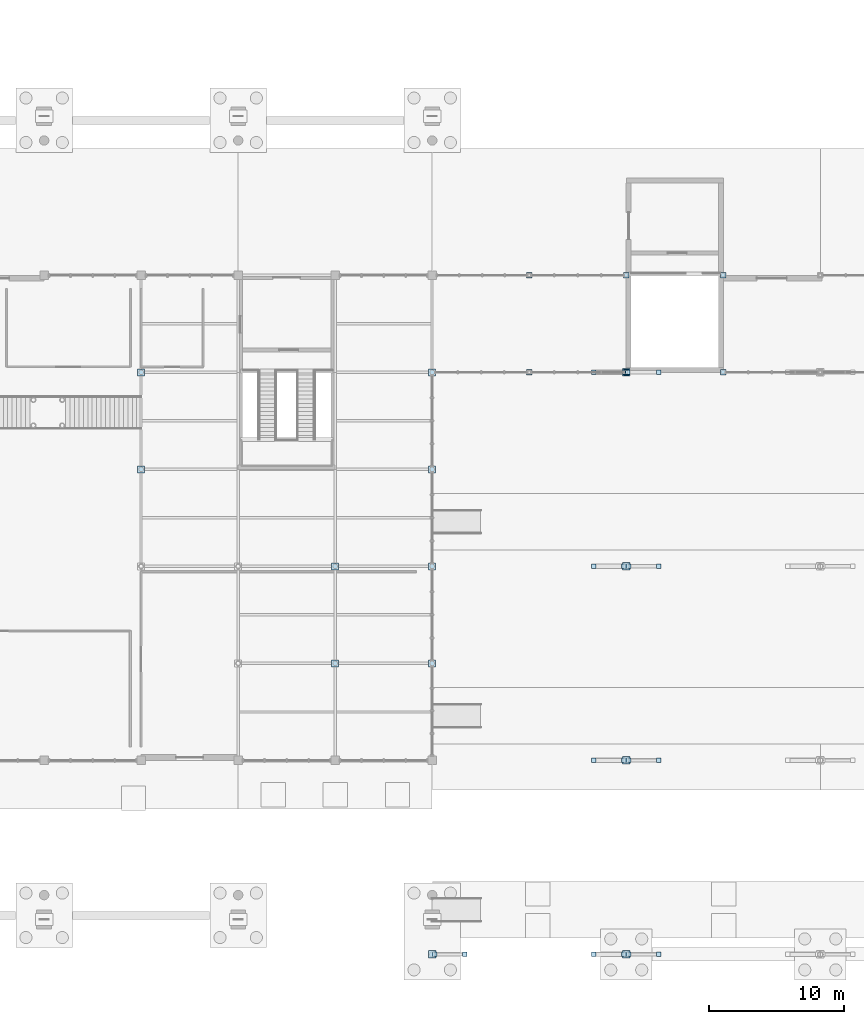
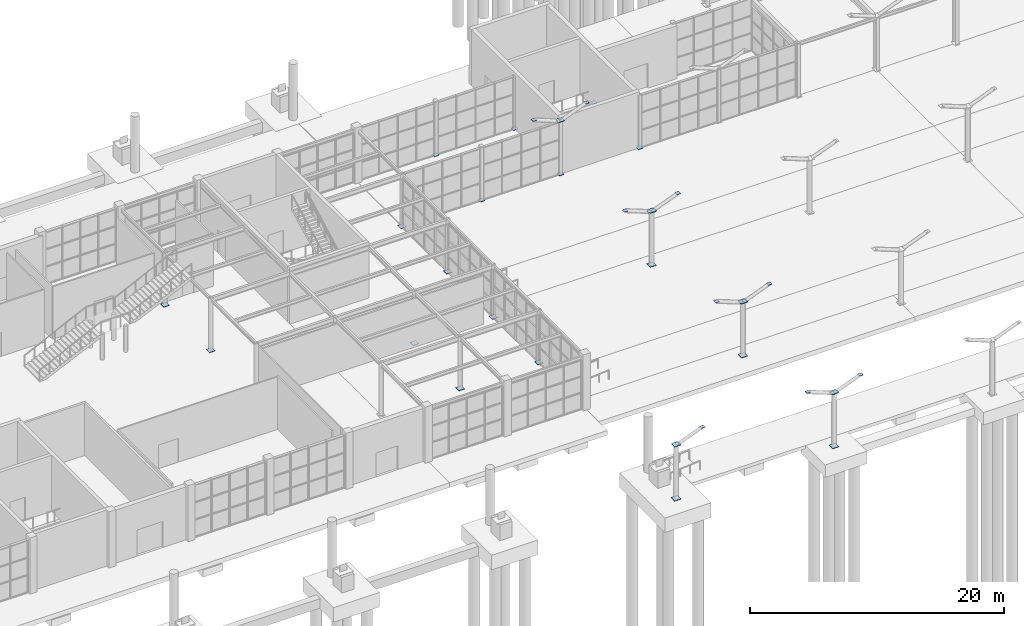
# One storey, part 53 of 75: 41 plates.
"""IFC4 building model written with IfcOpenShell, lengths in metres."""

from ifc_helpers import new_model, si_unit, direction, frame, origin, origin_2d, place, context, subcontext, project, spatial, rectangle, extrude, material, layer, layer_set, type_object, element, save


model = new_model("IFC4")

# Units and contexts
model_context = context("Model", 3, precision=1e-05, world=origin(), true_north=direction((0.0, 1.0)))
body_context = subcontext(model_context, "Body", "Model", "MODEL_VIEW")
ifc_project = project(units=[si_unit("LENGTHUNIT", "METRE"), si_unit("AREAUNIT", "SQUARE_METRE"), si_unit("VOLUMEUNIT", "CUBIC_METRE"), si_unit("PLANEANGLEUNIT", "RADIAN"), si_unit("MASSUNIT", "GRAM", prefix="KILO")], contexts=[model_context])

# Site, building, storey
site_placement = place(None, origin())
site = spatial("IfcSite", under=ifc_project, at=site_placement, CompositionType="ELEMENT")
building_placement = place(site_placement, origin())
building = spatial("IfcBuilding", under=site, at=building_placement, Name="Leyfeld Transit Interchange", CompositionType="ELEMENT")
storey_placement = place(building_placement, origin())
storey = spatial("IfcBuildingStorey", under=building, at=storey_placement, Name="L00", CompositionType="ELEMENT", Elevation=0.0)

# Plates
ifc_material = material(Name="Steel S355J2", Category="steel")
ifc_layer_1 = layer(ifc_material, 0.028076171875, Name="Steel S355J2")
ifc_layer_set_1 = layer_set([ifc_layer_1], Name="Steel S355J2")
plate_type_1 = type_object("IfcPlateType", Name="PLT-BASE-28", PredefinedType="USERDEFINED", material=ifc_layer_set_1)
for number, where, z_axis, x_axis, name in (
    (1, (108.0, 43.199951171875, 0.0), (0.0, 0.0, 1.0), (1.0, 0.0, 0.0), "Column Baseplate 0662"),
    (2, (108.0, 50.39990234375, 0.0), (0.0, 0.0, 1.0), (1.0, 0.0, 0.0), "Column Baseplate 0665"),
    (3, (115.199951171875, 43.199951171875, 0.0), (0.0, 0.0, 1.0), (1.0, 0.0, 0.0), "Column Baseplate 0679"),
    (4, (115.199951171875, 50.39990234375, 0.0), (0.0, 0.0, 1.0), (1.0, 0.0, 0.0), "Column Baseplate 0682"),
    (5, (122.39990234375, 43.199951171875, 0.0), (0.0, 0.0, 1.0), (1.0, 0.0, 0.0), "Column Baseplate 0691"),
    (6, (122.39990234375, 50.39990234375, 0.0), (0.0, 0.0, 1.0), (1.0, 0.0, 0.0), "Column Baseplate 0694"),
):
    element("IfcPlate", number, at=place(storey_placement, frame(where, z_axis=z_axis, x_axis=x_axis)), inside=storey, type_object=plate_type_1, Name=name, ObjectType="BASE_PLATE", PredefinedType="USERDEFINED", context=body_context, shape_type="SweptSolid", body=[
        extrude(rectangle(XDim=0.409912109375, YDim=0.409912109375, at=origin_2d()), origin(), (0.0, 0.0, 1.0), 0.028076171875),
    ])
ifc_layer_2 = layer(ifc_material, 0.031982421875, Name="Steel S355J2")
ifc_layer_set_2 = layer_set([ifc_layer_2], Name="Steel S355J2")
plate_type_2 = type_object("IfcPlateType", Name="PLT-BASE-32", PredefinedType="USERDEFINED", material=ifc_layer_set_2)
for number, where, z_axis, x_axis, name in (
    (7, (79.199951171875, 36.0, 0.0), (0.0, 0.0, 1.0), (1.0, 0.0, 0.0), "Column Baseplate 0585"),
    (8, (79.199951171875, 43.199951171875, 0.0), (0.0, 0.0, 1.0), (1.0, 0.0, 0.0), "Column Baseplate 0588"),
    (9, (93.60009765625, 21.60009765625, 0.0), (0.0, 0.0, 1.0), (1.0, 0.0, 0.0), "Column Baseplate 0619"),
    (10, (93.60009765625, 28.800048828125, 0.0), (0.0, 0.0, 1.0), (1.0, 0.0, 0.0), "Column Baseplate 0622"),
):
    element("IfcPlate", number, at=place(storey_placement, frame(where, z_axis=z_axis, x_axis=x_axis)), inside=storey, type_object=plate_type_2, Name=name, ObjectType="BASE_PLATE", PredefinedType="USERDEFINED", context=body_context, shape_type="SweptSolid", body=[
        extrude(rectangle(XDim=0.51611328125, YDim=0.51611328125, at=origin_2d()), origin(), (0.0, 0.0, 1.0), 0.031982421875),
    ])
plate_placement = place(storey_placement, frame((100.800048828125, 0.0, 0.0), z_axis=(0.0, 0.0, 1.0), x_axis=(1.0, 0.0, 0.0)))
element("IfcPlate", 11, at=plate_placement, inside=storey, type_object=plate_type_2, Name="Column Baseplate 0627", ObjectType="BASE_PLATE", PredefinedType="USERDEFINED", context=body_context, shape_type="SweptSolid", body=[
    extrude(rectangle(XDim=0.56591796875, YDim=0.56591796875, at=origin_2d()), origin(), (0.0, 0.0, 1.0), 0.031982421875),
])
for number, where, z_axis, x_axis, name in (
    (12, (100.800048828125, 21.60009765625, 0.0), (0.0, 0.0, 1.0), (1.0, 0.0, 0.0), "Column Baseplate 0637"),
    (13, (100.800048828125, 28.800048828125, 0.0), (0.0, 0.0, 1.0), (1.0, 0.0, 0.0), "Column Baseplate 0640"),
    (14, (100.800048828125, 36.0, 0.0), (0.0, 0.0, 1.0), (1.0, 0.0, 0.0), "Column Baseplate 0643"),
    (15, (100.800048828125, 43.199951171875, 0.0), (0.0, 0.0, 1.0), (1.0, 0.0, 0.0), "Column Baseplate 0646"),
):
    element("IfcPlate", number, at=place(storey_placement, frame(where, z_axis=z_axis, x_axis=x_axis)), inside=storey, type_object=plate_type_2, Name=name, ObjectType="BASE_PLATE", PredefinedType="USERDEFINED", context=body_context, shape_type="SweptSolid", body=[
        extrude(rectangle(XDim=0.51611328125, YDim=0.51611328125, at=origin_2d()), origin(), (0.0, 0.0, 1.0), 0.031982421875),
    ])
for number, where, z_axis, x_axis, name in (
    (16, (115.199951171875, 0.0, 0.0), (0.0, 0.0, 1.0), (1.0, 0.0, 0.0), "Column Baseplate 0666"),
    (17, (115.199951171875, 14.39990234375, 0.0), (0.0, 0.0, 1.0), (1.0, 0.0, 0.0), "Column Baseplate 0669"),
    (18, (115.199951171875, 28.800048828125, 0.0), (0.0, 0.0, 1.0), (1.0, 0.0, 0.0), "Column Baseplate 0674"),
):
    element("IfcPlate", number, at=place(storey_placement, frame(where, z_axis=z_axis, x_axis=x_axis)), inside=storey, type_object=plate_type_2, Name=name, ObjectType="BASE_PLATE", PredefinedType="USERDEFINED", context=body_context, shape_type="SweptSolid", body=[
        extrude(rectangle(XDim=0.56591796875, YDim=0.56591796875, at=origin_2d()), origin(), (0.0, 0.0, 1.0), 0.031982421875),
    ])
for number, where, z_axis, x_axis, name in (
    (19, (100.800048828125, 0.0, 5.18408203125), (0.0, 0.0, 1.0), (1.0, 0.0, 0.0), "V-Strut Pier Cap Plate 001"),
    (20, (115.199951171875, 0.0, 5.18408203125), (0.0, 0.0, 1.0), (1.0, 0.0, 0.0), "V-Strut Pier Cap Plate 002"),
    (21, (115.199951171875, 14.39990234375, 5.18408203125), (0.0, 0.0, 1.0), (1.0, 0.0, 0.0), "V-Strut Pier Cap Plate 003"),
    (22, (115.199951171875, 28.800048828125, 5.18408203125), (0.0, 0.0, 1.0), (1.0, 0.0, 0.0), "V-Strut Pier Cap Plate 004"),
    (23, (115.199951171875, 43.199951171875, 5.18408203125), (0.0, 0.0, 1.0), (1.0, 0.0, 0.0), "V-Strut Pier Cap Plate 005"),
):
    element("IfcPlate", number, at=place(storey_placement, frame(where, z_axis=z_axis, x_axis=x_axis)), inside=storey, type_object=plate_type_2, Name=name, ObjectType="BASE_PLATE", PredefinedType="USERDEFINED", context=body_context, shape_type="SweptSolid", body=[
        extrude(rectangle(XDim=0.550048828125, YDim=0.550048828125, at=origin_2d()), origin(), (0.0, 0.0, 1.0), 0.031982421875),
    ])
ifc_layer_3 = layer(ifc_material, 0.02490234375, Name="Steel S355J2")
ifc_layer_set_3 = layer_set([ifc_layer_3], Name="Steel S355J2")
plate_type_3 = type_object("IfcPlateType", Name="PLT-CAP-25", PredefinedType="USERDEFINED", material=ifc_layer_set_3)
for number, where, z_axis, x_axis, name in (
    (24, (100.985107421875, 0.0, 5.177490234375), (0.0, 0.0, 1.0), (1.0, 0.0, 0.0), "V-Strut Lower Shoe Plate 001"),
    (25, (103.199951171875, 0.0, 6.047607421875), (0.0, 0.0, 1.0), (1.0, 0.0, 0.0), "V-Strut Upper End Cap 001"),
    (26, (115.014892578125, 0.0, 5.177490234375), (0.0, 0.0, 1.0), (1.0, 0.0, 0.0), "V-Strut Lower Shoe Plate 002"),
    (27, (112.800048828125, 0.0, 6.047607421875), (0.0, 0.0, 1.0), (1.0, 0.0, 0.0), "V-Strut Upper End Cap 002"),
    (28, (115.385009765625, 0.0, 5.177490234375), (0.0, 0.0, 1.0), (1.0, 0.0, 0.0), "V-Strut Lower Shoe Plate 003"),
    (29, (117.60009765625, 0.0, 6.047607421875), (0.0, 0.0, 1.0), (1.0, 0.0, 0.0), "V-Strut Upper End Cap 003"),
    (30, (115.014892578125, 14.39990234375, 5.177490234375), (0.0, 0.0, 1.0), (1.0, 0.0, 0.0), "V-Strut Lower Shoe Plate 004"),
    (31, (112.800048828125, 14.39990234375, 6.047607421875), (0.0, 0.0, 1.0), (1.0, 0.0, 0.0), "V-Strut Upper End Cap 004"),
    (32, (115.385009765625, 14.39990234375, 5.177490234375), (0.0, 0.0, 1.0), (1.0, 0.0, 0.0), "V-Strut Lower Shoe Plate 005"),
    (33, (117.60009765625, 14.39990234375, 6.047607421875), (0.0, 0.0, 1.0), (1.0, 0.0, 0.0), "V-Strut Upper End Cap 005"),
    (34, (115.014892578125, 28.800048828125, 5.177490234375), (0.0, 0.0, 1.0), (1.0, 0.0, 0.0), "V-Strut Lower Shoe Plate 006"),
    (35, (112.800048828125, 28.800048828125, 6.047607421875), (0.0, 0.0, 1.0), (1.0, 0.0, 0.0), "V-Strut Upper End Cap 006"),
    (36, (115.385009765625, 28.800048828125, 5.177490234375), (0.0, 0.0, 1.0), (1.0, 0.0, 0.0), "V-Strut Lower Shoe Plate 007"),
    (37, (117.60009765625, 28.800048828125, 6.047607421875), (0.0, 0.0, 1.0), (1.0, 0.0, 0.0), "V-Strut Upper End Cap 007"),
    (38, (115.08203125, 43.199951171875, 5.1474609375), (0.0, 0.0, 1.0), (1.0, 0.0, 0.0), "V-Strut Lower Shoe Plate 008"),
    (39, (112.800048828125, 43.199951171875, 6.047607421875), (0.0, 0.0, 1.0), (1.0, 0.0, 0.0), "V-Strut Upper End Cap 008"),
    (40, (115.318115234375, 43.199951171875, 5.1474609375), (0.0, 0.0, 1.0), (1.0, 0.0, 0.0), "V-Strut Lower Shoe Plate 009"),
    (41, (117.60009765625, 43.199951171875, 6.047607421875), (0.0, 0.0, 1.0), (1.0, 0.0, 0.0), "V-Strut Upper End Cap 009"),
):
    element("IfcPlate", number, at=place(storey_placement, frame(where, z_axis=z_axis, x_axis=x_axis)), inside=storey, type_object=plate_type_3, Name=name, ObjectType="FLANGE_PLATE", PredefinedType="USERDEFINED", context=body_context, shape_type="SweptSolid", body=[
        extrude(rectangle(XDim=0.340087890625, YDim=0.340087890625, at=origin_2d()), origin(), (0.0, 0.0, 1.0), 0.02490234375),
    ])

save(model, "model.ifc")
